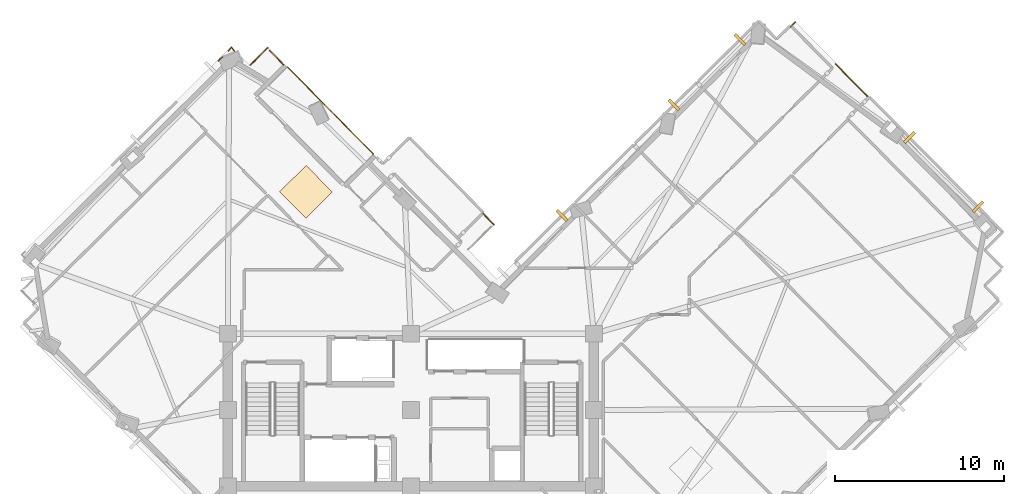
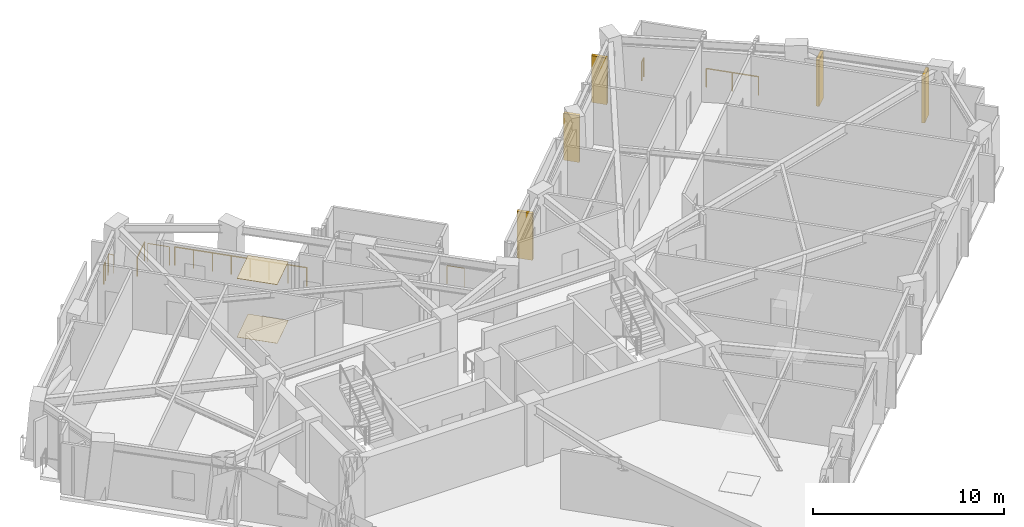
# One storey, part 11 of 11: 8 railings, 5 shading devices, 2 coverings.
"""IFC4 building model written with IfcOpenShell, lengths in metres."""

from ifc_helpers import new_model, si_unit, direction, frame, origin, origin_2d, place, context, subcontext, project, spatial, rectangle, circle, extrude, material, layer, layer_set, type_object, element, save


model = new_model("IFC4")

# Units and contexts
model_context = context("Model", 3, precision=1e-05, world=origin(), true_north=direction((0.0, 1.0)))
body_context = subcontext(model_context, "Body", "Model", "MODEL_VIEW")
ifc_project = project(units=[si_unit("LENGTHUNIT", "METRE"), si_unit("AREAUNIT", "SQUARE_METRE"), si_unit("VOLUMEUNIT", "CUBIC_METRE"), si_unit("PLANEANGLEUNIT", "RADIAN"), si_unit("MASSUNIT", "GRAM", prefix="KILO")], contexts=[model_context])

# Site, building, storey
site_placement = place(None, origin())
site = spatial("IfcSite", under=ifc_project, at=site_placement, CompositionType="ELEMENT")
building_placement = place(site_placement, origin())
building = spatial("IfcBuilding", under=site, at=building_placement, Name="Gaonmaruhae Medical Tower", CompositionType="ELEMENT")
storey_placement = place(building_placement, frame((0.0, 0.0, 215.199951171875)))
storey = spatial("IfcBuildingStorey", under=building, at=storey_placement, Name="L51", CompositionType="ELEMENT", Elevation=215.199951171875)

# Coverings
ifc_material_1 = material(Name="Acoustic mineral ceiling tile", Category="finish")
ifc_layer_1 = layer(ifc_material_1, 0.02490234375)
ifc_layer_set_1 = layer_set([ifc_layer_1], Name="Acoustic mineral ceiling tile")
covering_type_1 = type_object("IfcCoveringType", Name="CLG-01 Antimicrobial Acoustic Mineral Ceiling", PredefinedType="CEILING", material=ifc_layer_set_1)
covering_1_placement = place(storey_placement, frame((18.61083984375, 25.1748046875, 3.755126953125), z_axis=(0.0, 0.0, 1.0), x_axis=(0.711413030818, 0.702774145499, 0.0)))
element("IfcCovering", 1, at=covering_1_placement, inside=storey, type_object=covering_type_1, Name="L51 Clinical Corridor Acoustic Ceiling", PredefinedType="CEILING", context=body_context, shape_type="SweptSolid", body=[
    extrude(rectangle(XDim=2.199951171875, YDim=2.199951171875, at=origin_2d()), origin(), (0.0, 0.0, 1.0), 0.02490234375),
])
ifc_material_2 = material(Name="Seamless clinical vinyl flooring", Category="finish")
ifc_layer_2 = layer(ifc_material_2, 0.014892578125)
ifc_layer_set_2 = layer_set([ifc_layer_2], Name="Seamless clinical vinyl flooring")
covering_type_2 = type_object("IfcCoveringType", Name="FLR-01 Seamless Clinical Antistatic Vinyl Flooring", PredefinedType="FLOORING", material=ifc_layer_set_2)
covering_2_placement = place(storey_placement, frame((18.61083984375, 25.1748046875, 0.00048828125), z_axis=(0.0, 0.0, 1.0), x_axis=(0.711413030818, 0.702774145499, 0.0)))
element("IfcCovering", 2, at=covering_2_placement, inside=storey, type_object=covering_type_2, Name="L51 Clinical Corridor Vinyl Flooring", PredefinedType="FLOORING", context=body_context, shape_type="SweptSolid", body=[
    extrude(rectangle(XDim=2.199951171875, YDim=2.199951171875, at=origin_2d()), origin(), (0.0, 0.0, 1.0), 0.014892578125),
])

# Railings
ifc_material_3 = material(Name="Stainless steel 316L and laminated safety glass", Category="steel")
ifc_layer_3 = layer(ifc_material_3, 0.080078125)
ifc_layer_set_3 = layer_set([ifc_layer_3], Name="Stainless steel 316L and laminated safety glass")
railing_type = type_object("IfcRailingType", Name="GD-120 Outdoor Terrace Safety Glass & Steel Balustrade", PredefinedType="BALUSTRADE", material=ifc_layer_set_3)
railing_1_placement = place(storey_placement, frame((22.5849609375, 27.412841796875, 0.0)))
element("IfcRailing", 3, at=railing_1_placement, inside=storey, type_object=railing_type, Name="L51 Terrace Safety Guard RL-SLB-L51-TER-02", PredefinedType="BALUSTRADE", context=body_context, shape_type="SweptSolid", body=[
    extrude(circle(Radius=0.02392578125, at=origin_2d()), frame((0.0, 0.0, 1.17578125), z_axis=(-0.702770337293, 0.71141679276, 0.0), x_axis=(-0.71141679276, -0.702770337293, 0.0)), (0.0, 0.0, 1.0), 7.2001953125),
    extrude(circle(Radius=0.02099609375, at=origin_2d()), origin(), (0.0, 0.0, 1.0), 1.15185546875),
    extrude(circle(Radius=0.02099609375, at=origin_2d()), frame((-0.722900390625, 0.731689453125, 0.0)), (0.0, 0.0, 1.0), 1.15185546875),
    extrude(circle(Radius=0.02099609375, at=origin_2d()), frame((-1.44580078125, 1.463623046875, 0.0)), (0.0, 0.0, 1.0), 1.15185546875),
    extrude(circle(Radius=0.02099609375, at=origin_2d()), frame((-2.168701171875, 2.1953125, 0.0)), (0.0, 0.0, 1.0), 1.15185546875),
    extrude(circle(Radius=0.02099609375, at=origin_2d()), frame((-2.891357421875, 2.927001953125, 0.0)), (0.0, 0.0, 1.0), 1.15185546875),
    extrude(circle(Radius=0.02099609375, at=origin_2d()), frame((-3.6142578125, 3.65869140625, 0.0)), (0.0, 0.0, 1.0), 1.15185546875),
    extrude(circle(Radius=0.02099609375, at=origin_2d()), frame((-4.337158203125, 4.390625, 0.0)), (0.0, 0.0, 1.0), 1.15185546875),
    extrude(circle(Radius=0.02099609375, at=origin_2d()), frame((-5.06005859375, 5.122314453125, 0.0)), (0.0, 0.0, 1.0), 1.15185546875),
])
railing_2_placement = place(storey_placement, frame((47.2080078125, 34.9111328125, 0.0)))
element("IfcRailing", 4, at=railing_2_placement, inside=storey, type_object=railing_type, Name="L51 Perimeter Slab Edge Safety Balustrade 01", PredefinedType="BALUSTRADE", context=body_context, shape_type="SweptSolid", body=[
    extrude(circle(Radius=0.02392578125, at=origin_2d()), frame((0.0, 0.0, 1.17578125), z_axis=(0.711439041494, 0.702747814111, 0.0), x_axis=(-0.702747814111, 0.711439041494, 0.0)), (0.0, 0.0, 1.0), 0.393310546875),
    extrude(circle(Radius=0.02099609375, at=origin_2d()), origin(), (0.0, 0.0, 1.0), 1.15185546875),
    extrude(circle(Radius=0.02099609375, at=origin_2d()), frame((0.27978515625, 0.2763671875, 0.0)), (0.0, 0.0, 1.0), 1.15185546875),
])
railing_3_placement = place(storey_placement, frame((49.856689453125, 32.718505859375, 0.0)))
element("IfcRailing", 5, at=railing_3_placement, inside=storey, type_object=railing_type, Name="L51 Perimeter Slab Edge Safety Balustrade 02", PredefinedType="BALUSTRADE", context=body_context, shape_type="SweptSolid", body=[
    extrude(circle(Radius=0.02392578125, at=origin_2d()), frame((0.0, 0.0, 1.17578125), z_axis=(0.702706634289, -0.711479715892, 0.0), x_axis=(0.711479715892, 0.702706634289, 0.0)), (0.0, 0.0, 1.0), 2.83837890625),
    extrude(circle(Radius=0.02099609375, at=origin_2d()), origin(), (0.0, 0.0, 1.0), 1.15185546875),
    extrude(circle(Radius=0.02099609375, at=origin_2d()), frame((0.997314453125, -1.009765625, 0.0)), (0.0, 0.0, 1.0), 1.15185546875),
    extrude(circle(Radius=0.02099609375, at=origin_2d()), frame((1.99462890625, -2.01953125, 0.0)), (0.0, 0.0, 1.0), 1.15185546875),
])
railing_4_placement = place(storey_placement, frame((13.43896484375, 32.8984375, 0.0)))
element("IfcRailing", 6, at=railing_4_placement, inside=storey, type_object=railing_type, Name="L51 Perimeter Slab Edge Safety Balustrade 11", PredefinedType="BALUSTRADE", context=body_context, shape_type="SweptSolid", body=[
    extrude(circle(Radius=0.02392578125, at=origin_2d()), frame((0.0, 0.0, 1.17578125), z_axis=(0.711062027163, 0.703129286495, 0.0), x_axis=(-0.703129286495, 0.711062027163, 0.0)), (0.0, 0.0, 1.0), 0.338623046875),
    extrude(circle(Radius=0.02099609375, at=origin_2d()), origin(), (0.0, 0.0, 1.0), 1.15185546875),
    extrude(circle(Radius=0.02099609375, at=origin_2d()), frame((0.24072265625, 0.238037109375, 0.0)), (0.0, 0.0, 1.0), 1.15185546875),
])
railing_5_placement = place(storey_placement, frame((15.326416015625, 32.654541015625, 0.0)))
element("IfcRailing", 7, at=railing_5_placement, inside=storey, type_object=railing_type, Name="L51 Perimeter Slab Edge Safety Balustrade 12", PredefinedType="BALUSTRADE", context=body_context, shape_type="SweptSolid", body=[
    extrude(circle(Radius=0.02392578125, at=origin_2d()), frame((0.0, 0.0, 1.17578125), z_axis=(0.711440646268, 0.702746189486, 0.0), x_axis=(-0.702746189486, 0.711440646268, 0.0)), (0.0, 0.0, 1.0), 1.460205078125),
    extrude(circle(Radius=0.02099609375, at=origin_2d()), origin(), (0.0, 0.0, 1.0), 1.15185546875),
    extrude(circle(Radius=0.02099609375, at=origin_2d()), frame((1.038818359375, 1.026123046875, 0.0)), (0.0, 0.0, 1.0), 1.15185546875),
])
railing_6_placement = place(storey_placement, frame((16.463134765625, 33.51025390625, 0.0)))
element("IfcRailing", 8, at=railing_6_placement, inside=storey, type_object=railing_type, Name="L51 Perimeter Slab Edge Safety Balustrade 13", PredefinedType="BALUSTRADE", context=body_context, shape_type="SweptSolid", body=[
    extrude(circle(Radius=0.02392578125, at=origin_2d()), frame((0.0, 0.0, 1.17578125), z_axis=(0.702852529975, -0.711335589654, 0.0), x_axis=(0.711335589654, 0.702852529975, 0.0)), (0.0, 0.0, 1.0), 1.179931640625),
    extrude(circle(Radius=0.02099609375, at=origin_2d()), origin(), (0.0, 0.0, 1.0), 1.15185546875),
    extrude(circle(Radius=0.02099609375, at=origin_2d()), frame((0.829345703125, -0.83935546875, 0.0)), (0.0, 0.0, 1.0), 1.15185546875),
])
railing_7_placement = place(storey_placement, frame((29.049072265625, 23.900146484375, 0.0)))
element("IfcRailing", 9, at=railing_7_placement, inside=storey, type_object=railing_type, Name="L51 Perimeter Slab Edge Safety Balustrade 14", PredefinedType="BALUSTRADE", context=body_context, shape_type="SweptSolid", body=[
    extrude(circle(Radius=0.02392578125, at=origin_2d()), frame((0.0, 0.0, 1.17578125), z_axis=(0.702668729877, -0.71151715092, 0.0), x_axis=(0.71151715092, 0.702668729877, 0.0)), (0.0, 0.0, 1.0), 0.93798828125),
    extrude(circle(Radius=0.02099609375, at=origin_2d()), origin(), (0.0, 0.0, 1.0), 1.15185546875),
    extrude(circle(Radius=0.02099609375, at=origin_2d()), frame((0.6591796875, -0.66748046875, 0.0)), (0.0, 0.0, 1.0), 1.15185546875),
])
railing_8_placement = place(storey_placement, frame((14.030517578125, 33.48291015625, 0.0)))
element("IfcRailing", 10, at=railing_8_placement, inside=storey, type_object=railing_type, Name="L51 Perimeter Corner Safety Balustrade 19", PredefinedType="BALUSTRADE", context=body_context, shape_type="SweptSolid", body=[
    extrude(circle(Radius=0.02392578125, at=origin_2d()), frame((0.0, 0.0, 1.17578125), z_axis=(0.620223409641, 0.784425217681, 0.0), x_axis=(-0.784425217681, 0.620223409641, 0.0)), (0.0, 0.0, 1.0), 0.286865234375),
    extrude(circle(Radius=0.02392578125, at=origin_2d()), frame((0.177978515625, 0.22509765625, 1.17578125), z_axis=(0.611229726365, -0.791453233999, 0.0), x_axis=(0.791453233999, 0.611229726365, 0.0)), (0.0, 0.0, 1.0), 0.287109375),
    extrude(circle(Radius=0.02099609375, at=origin_2d()), origin(), (0.0, 0.0, 1.0), 1.15185546875),
    extrude(circle(Radius=0.02099609375, at=origin_2d()), frame((0.177978515625, 0.22509765625, 0.0)), (0.0, 0.0, 1.0), 1.15185546875),
    extrude(circle(Radius=0.02099609375, at=origin_2d()), frame((0.353515625, -0.002197265625, 0.0)), (0.0, 0.0, 1.0), 1.15185546875),
])

# Shading devices
ifc_material_4 = material(Name="Pigmented coral precast concrete C45/55", Category="concrete")
shading_device_type = type_object("IfcShadingDeviceType", Name="SD-FIN1 Tower Vertical Coral Precast Shading Fin", PredefinedType="USERDEFINED", material=ifc_material_4)
for number, where, z_axis, x_axis, name in (
    (11, (54.229736328125, 28.384033203125, 0.132568359375), (0.0, 0.0, 1.0), (0.702774145499, -0.711413030818, 0.0), "L51 Vertical Coral Precast Shading Fin E01"),
    (12, (58.26806640625, 24.2958984375, 0.132568359375), (0.0, 0.0, 1.0), (0.702774145499, -0.711413030818, 0.0), "L51 Vertical Coral Precast Shading Fin E01B"),
    (13, (40.32177734375, 30.30859375, 0.08251953125), (0.0, 0.0, 1.0), (0.711413030818, 0.702774145499, 0.0), "L51 Vertical Coral Precast Shading Fin E03"),
    (14, (44.22021484375, 34.15966796875, 0.08251953125), (0.0, 0.0, 1.0), (0.711413030818, 0.702774145499, 0.0), "L51 Vertical Coral Precast Shading Fin E03B"),
    (15, (33.712890625, 23.780029296875, 0.08251953125), (0.0, 0.0, 1.0), (0.711400764987, 0.702786561892, 0.0), "L51 Vertical Coral Precast Shading Fin EN02B"),
):
    element("IfcShadingDevice", number, at=place(storey_placement, frame(where, z_axis=z_axis, x_axis=x_axis)), inside=storey, type_object=shading_device_type, Name=name, ObjectType="FIN", PredefinedType="USERDEFINED", context=body_context, shape_type="SweptSolid", body=[
        extrude(rectangle(XDim=0.179931640625, YDim=0.85009765625, at=origin_2d()), origin(), (0.0, 0.0, 1.0), 3.0),
    ])

save(model, "model.ifc")
